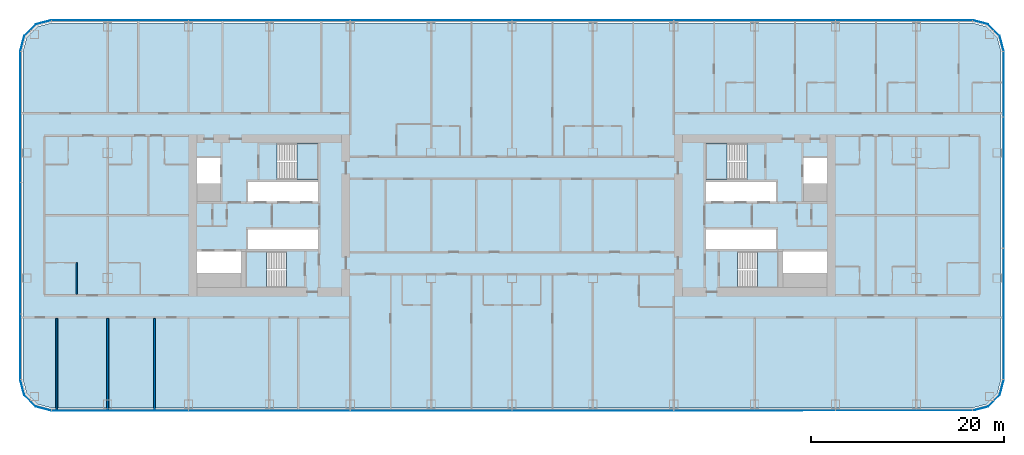
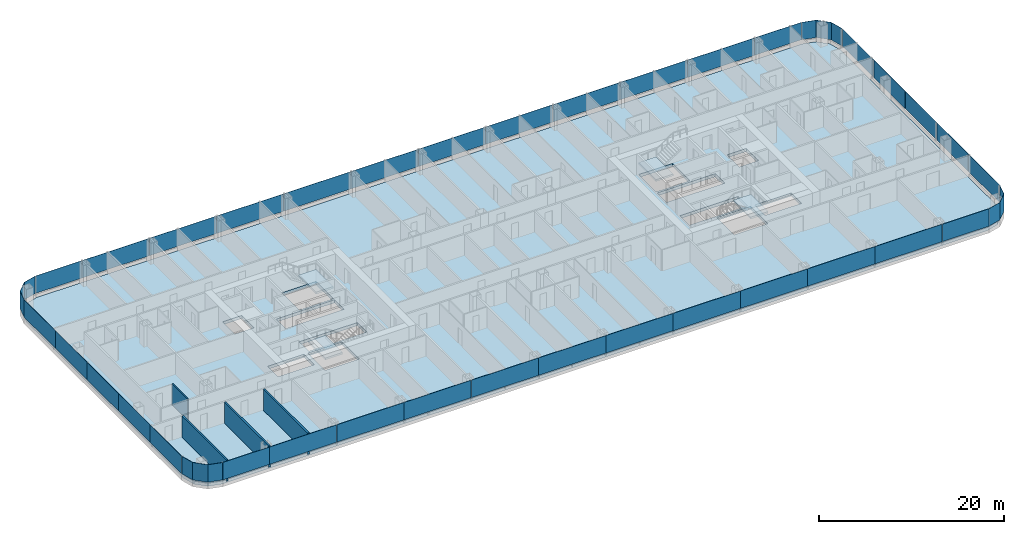
# One storey, part 12 of 28: 38 plates, 5 slabs, 4 walls, 12 elements without a shape of their own.
"""IFC4 building model written with IfcOpenShell, lengths in metres."""

from ifc_helpers import new_model, si_unit, direction, frame, frame_2d, origin, origin_2d, place, context, subcontext, project, spatial, polyline, rectangle, outline, extrude, material, layer, layer_set, type_object, element, aggregate, save


model = new_model("IFC4")

# Units and contexts
model_context = context("Model", 3, precision=1e-05, world=origin(), true_north=direction((0.0, 1.0)))
body_context = subcontext(model_context, "Body", "Model", "MODEL_VIEW")
ifc_project = project(units=[si_unit("LENGTHUNIT", "METRE"), si_unit("AREAUNIT", "SQUARE_METRE"), si_unit("VOLUMEUNIT", "CUBIC_METRE"), si_unit("PLANEANGLEUNIT", "RADIAN"), si_unit("MASSUNIT", "GRAM", prefix="KILO")], contexts=[model_context])

# Site, building, storey
site_placement = place(None, origin())
site = spatial("IfcSite", under=ifc_project, at=site_placement, CompositionType="ELEMENT")
building_placement = place(site_placement, origin())
building = spatial("IfcBuilding", under=site, at=building_placement, Name="Hakoniwa Tower and Hamabe Station Hall", CompositionType="ELEMENT")
storey_placement = place(building_placement, frame((0.0, 0.0, 32.60009765625)))
storey = spatial("IfcBuildingStorey", under=building, at=storey_placement, Name="L08", CompositionType="ELEMENT", Elevation=32.60009765625)

# Stair, slab
ifc_material_1 = material(Name="Concrete C40", Category="concrete")
stair_type = type_object("IfcStairType", Name="ESCAPE STAIR 1800", PredefinedType="HALF_TURN_STAIR", material=ifc_material_1)
stair_1_placement = place(storey_placement, origin())
stair_1 = element("IfcStair", 1, at=stair_1_placement, inside=storey, type_object=stair_type, Name="Escape stair ST-1 L08", PredefinedType="HALF_TURN_STAIR")
ifc_material_2 = material(Name="Concrete C40", Category="concrete")
ifc_layer_1 = layer(ifc_material_2, 0.25)
ifc_layer_set_1 = layer_set([ifc_layer_1], Name="CORE STAIR LANDING 250")
slab_type_1 = type_object("IfcSlabType", Name="CORE STAIR LANDING 250", PredefinedType="LANDING", material=ifc_layer_set_1)
slab_1_placement = place(storey_placement, frame((0.0, 0.0, 1.349853515625)))
slab_1 = element("IfcSlab", 2, at=slab_1_placement, type_object=slab_type_1, Name="ST-1 landing 1", PredefinedType="LANDING", context=body_context, shape_type="SweptSolid", body=[
    extrude(outline(polyline([(-22.320068359375, 3.75), (-20.14990234375, 3.75), (-20.14990234375, 7.5), (-22.320068359375, 7.5), (-22.320068359375, 3.75)])), origin(), (0.0, 0.0, 1.0), 0.25),
])
aggregate(stair_1, [slab_1])

stair_2_placement = place(storey_placement, origin())
stair_2 = element("IfcStair", 3, at=stair_2_placement, inside=storey, type_object=stair_type, Name="Escape stair ST-2 L08", PredefinedType="HALF_TURN_STAIR")
slab_2_placement = place(storey_placement, frame((0.0, 0.0, 1.349853515625)))
slab_2 = element("IfcSlab", 4, at=slab_2_placement, type_object=slab_type_1, Name="ST-2 landing 1", PredefinedType="LANDING", context=body_context, shape_type="SweptSolid", body=[
    extrude(outline(polyline([(-25.47998046875, -7.5), (-27.64990234375, -7.5), (-27.64990234375, -3.75), (-25.47998046875, -3.75), (-25.47998046875, -7.5)])), origin(), (0.0, 0.0, 1.0), 0.25),
])
aggregate(stair_2, [slab_2])

stair_3_placement = place(storey_placement, origin())
stair_3 = element("IfcStair", 5, at=stair_3_placement, inside=storey, type_object=stair_type, Name="Escape stair ST-3 L08", PredefinedType="HALF_TURN_STAIR")
slab_3_placement = place(storey_placement, frame((0.0, 0.0, 1.349853515625)))
slab_3 = element("IfcSlab", 6, at=slab_3_placement, type_object=slab_type_1, Name="ST-3 landing 1", PredefinedType="LANDING", context=body_context, shape_type="SweptSolid", body=[
    extrude(outline(polyline([(22.320068359375, 3.75), (20.14990234375, 3.75), (20.14990234375, 7.5), (22.320068359375, 7.5), (22.320068359375, 3.75)])), origin(), (0.0, 0.0, 1.0), 0.25),
])
aggregate(stair_3, [slab_3])

stair_4_placement = place(storey_placement, origin())
stair_4 = element("IfcStair", 7, at=stair_4_placement, inside=storey, type_object=stair_type, Name="Escape stair ST-4 L08", PredefinedType="HALF_TURN_STAIR")
slab_4_placement = place(storey_placement, frame((0.0, 0.0, 1.349853515625)))
slab_4 = element("IfcSlab", 8, at=slab_4_placement, type_object=slab_type_1, Name="ST-4 landing 1", PredefinedType="LANDING", context=body_context, shape_type="SweptSolid", body=[
    extrude(outline(polyline([(25.47998046875, -7.5), (27.64990234375, -7.5), (27.64990234375, -3.75), (25.47998046875, -3.75), (25.47998046875, -7.5)])), origin(), (0.0, 0.0, 1.0), 0.25),
])
aggregate(stair_4, [slab_4])

# Curtain wall, plates
ifc_material_3 = material(Name="Dark low-e laminated glass", Category="glass")
ifc_layer_2 = layer(ifc_material_3, 0.199951171875)
ifc_layer_set_2 = layer_set([ifc_layer_2], Name="CW-1 UNITISED GUEST")
curtain_wall_type = type_object("IfcCurtainWallType", Name="CW-1 UNITISED GUEST", PredefinedType="NOTDEFINED", material=ifc_layer_set_2)
curtain_wall_1_placement = place(storey_placement, origin())
curtain_wall_1 = element("IfcCurtainWall", 9, at=curtain_wall_1_placement, inside=storey, type_object=curtain_wall_type, Name="CW-1 curtain wall", PredefinedType="NOTDEFINED")
ifc_material_4 = material(Name="Dark low-e laminated glass", Category="glass")
ifc_layer_3 = layer(ifc_material_4, 0.028076171875)
ifc_layer_set_3 = layer_set([ifc_layer_3], Name="CW-1 GLASS UNIT")
plate_type = type_object("IfcPlateType", Name="CW-1 GLASS UNIT", PredefinedType="CURTAIN_PANEL", material=ifc_layer_set_3)
plate_1_placement = place(storey_placement, frame((51.0859375, -13.631591796875, 0.35009765625), z_axis=(0.0, 0.0, 1.0), x_axis=(0.0, 1.0, 0.0)))
plate_1 = element("IfcPlate", 10, at=plate_1_placement, type_object=plate_type, Name="CW-1 glass unit", PredefinedType="CURTAIN_PANEL", context=body_context, shape_type="SweptSolid", body=[
    extrude(rectangle(XDim=6.7958984375, YDim=0.028076171875, at=origin_2d()), origin(), (0.0, 0.0, 1.0), 2.300048828125),
])
plate_2_placement = place(storey_placement, frame((51.0859375, -6.81591796875, 0.35009765625), z_axis=(0.0, 0.0, 1.0), x_axis=(0.0, 1.0, 0.0)))
plate_2 = element("IfcPlate", 11, at=plate_2_placement, type_object=plate_type, Name="CW-1 glass unit", PredefinedType="CURTAIN_PANEL", context=body_context, shape_type="SweptSolid", body=[
    extrude(rectangle(XDim=6.7958984375, YDim=0.028076171875, at=origin_2d()), origin(), (0.0, 0.0, 1.0), 2.300048828125),
])
plate_3_placement = place(storey_placement, frame((51.0859375, 0.0, 0.35009765625), z_axis=(0.0, 0.0, 1.0), x_axis=(0.0, 1.0, 0.0)))
plate_3 = element("IfcPlate", 12, at=plate_3_placement, type_object=plate_type, Name="CW-1 glass unit", PredefinedType="CURTAIN_PANEL", context=body_context, shape_type="SweptSolid", body=[
    extrude(rectangle(XDim=6.7958984375, YDim=0.028076171875, at=origin_2d()), origin(), (0.0, 0.0, 1.0), 2.300048828125),
])
plate_4_placement = place(storey_placement, frame((51.0859375, 6.81591796875, 0.35009765625), z_axis=(0.0, 0.0, 1.0), x_axis=(0.0, 1.0, 0.0)))
plate_4 = element("IfcPlate", 13, at=plate_4_placement, type_object=plate_type, Name="CW-1 glass unit", PredefinedType="CURTAIN_PANEL", context=body_context, shape_type="SweptSolid", body=[
    extrude(rectangle(XDim=6.7958984375, YDim=0.028076171875, at=origin_2d()), origin(), (0.0, 0.0, 1.0), 2.300048828125),
])
plate_5_placement = place(storey_placement, frame((51.0859375, 13.631591796875, 0.35009765625), z_axis=(0.0, 0.0, 1.0), x_axis=(0.0, 1.0, 0.0)))
plate_5 = element("IfcPlate", 14, at=plate_5_placement, type_object=plate_type, Name="CW-1 glass unit", PredefinedType="CURTAIN_PANEL", context=body_context, shape_type="SweptSolid", body=[
    extrude(rectangle(XDim=6.7958984375, YDim=0.028076171875, at=origin_2d()), origin(), (0.0, 0.0, 1.0), 2.300048828125),
])
aggregate(curtain_wall_1, [plate_1, plate_2, plate_3, plate_4, plate_5])

# Curtain wall, plate
curtain_wall_2_placement = place(storey_placement, origin())
curtain_wall_2 = element("IfcCurtainWall", 15, at=curtain_wall_2_placement, inside=storey, type_object=curtain_wall_type, Name="CW-1 curtain wall", PredefinedType="NOTDEFINED")
plate_6_placement = place(storey_placement, frame((0.0, 0.0, 0.349853515625)))
plate_6 = element("IfcPlate", 16, at=plate_6_placement, type_object=plate_type, Name="CW-1 curved corner unit", PredefinedType="CURTAIN_PANEL", context=body_context, shape_type="SweptSolid", body=[
    extrude(outline(polyline([(51.089599609375, 17.078125), (50.6669921875, 18.6552734375), (49.455322265625, 19.866943359375), (47.878173828125, 20.28955078125), (47.870849609375, 20.2626953125), (49.44091796875, 19.842041015625), (50.641845703125, 18.640869140625), (51.0625, 17.07080078125), (51.089599609375, 17.078125)])), origin(), (0.0, 0.0, 1.0), 2.300048828125),
])
aggregate(curtain_wall_2, [plate_6])

# Curtain wall, plates
curtain_wall_3_placement = place(storey_placement, origin())
curtain_wall_3 = element("IfcCurtainWall", 17, at=curtain_wall_3_placement, inside=storey, type_object=curtain_wall_type, Name="CW-1 curtain wall", PredefinedType="NOTDEFINED")
plate_7_placement = place(storey_placement, frame((44.919677734375, 20.285888671875, 0.35009765625), z_axis=(0.0, 0.0, 1.0), x_axis=(-1.0, 0.0, 0.0)))
plate_7 = element("IfcPlate", 18, at=plate_7_placement, type_object=plate_type, Name="CW-1 glass unit", PredefinedType="CURTAIN_PANEL", context=body_context, shape_type="SweptSolid", body=[
    extrude(rectangle(XDim=5.819580078125, YDim=0.028076171875, at=origin_2d()), origin(), (0.0, 0.0, 1.0), 2.300048828125),
])
plate_8_placement = place(storey_placement, frame((37.800048828125, 20.285888671875, 0.35009765625), z_axis=(0.0, 0.0, 1.0), x_axis=(-1.0, 0.0, 0.0)))
plate_8 = element("IfcPlate", 19, at=plate_8_placement, type_object=plate_type, Name="CW-1 glass unit", PredefinedType="CURTAIN_PANEL", context=body_context, shape_type="SweptSolid", body=[
    extrude(rectangle(XDim=8.3798828125, YDim=0.028076171875, at=origin_2d()), origin(), (0.0, 0.0, 1.0), 2.300048828125),
])
plate_9_placement = place(storey_placement, frame((29.39990234375, 20.285888671875, 0.35009765625), z_axis=(0.0, 0.0, 1.0), x_axis=(-1.0, 0.0, 0.0)))
plate_9 = element("IfcPlate", 20, at=plate_9_placement, type_object=plate_type, Name="CW-1 glass unit", PredefinedType="CURTAIN_PANEL", context=body_context, shape_type="SweptSolid", body=[
    extrude(rectangle(XDim=8.3798828125, YDim=0.028076171875, at=origin_2d()), origin(), (0.0, 0.0, 1.0), 2.300048828125),
])
plate_10_placement = place(storey_placement, frame((21.0, 20.285888671875, 0.35009765625), z_axis=(0.0, 0.0, 1.0), x_axis=(-1.0, 0.0, 0.0)))
plate_10 = element("IfcPlate", 21, at=plate_10_placement, type_object=plate_type, Name="CW-1 glass unit", PredefinedType="CURTAIN_PANEL", context=body_context, shape_type="SweptSolid", body=[
    extrude(rectangle(XDim=8.3798828125, YDim=0.028076171875, at=origin_2d()), origin(), (0.0, 0.0, 1.0), 2.300048828125),
])
plate_11_placement = place(storey_placement, frame((12.60009765625, 20.285888671875, 0.35009765625), z_axis=(0.0, 0.0, 1.0), x_axis=(-1.0, 0.0, 0.0)))
plate_11 = element("IfcPlate", 22, at=plate_11_placement, type_object=plate_type, Name="CW-1 glass unit", PredefinedType="CURTAIN_PANEL", context=body_context, shape_type="SweptSolid", body=[
    extrude(rectangle(XDim=8.3798828125, YDim=0.028076171875, at=origin_2d()), origin(), (0.0, 0.0, 1.0), 2.300048828125),
])
plate_12_placement = place(storey_placement, frame((4.199951171875, 20.285888671875, 0.35009765625), z_axis=(0.0, 0.0, 1.0), x_axis=(-1.0, 0.0, 0.0)))
plate_12 = element("IfcPlate", 23, at=plate_12_placement, type_object=plate_type, Name="CW-1 glass unit", PredefinedType="CURTAIN_PANEL", context=body_context, shape_type="SweptSolid", body=[
    extrude(rectangle(XDim=8.3798828125, YDim=0.028076171875, at=origin_2d()), origin(), (0.0, 0.0, 1.0), 2.300048828125),
])
plate_13_placement = place(storey_placement, frame((-4.199951171875, 20.285888671875, 0.35009765625), z_axis=(0.0, 0.0, 1.0), x_axis=(-1.0, 0.0, 0.0)))
plate_13 = element("IfcPlate", 24, at=plate_13_placement, type_object=plate_type, Name="CW-1 glass unit", PredefinedType="CURTAIN_PANEL", context=body_context, shape_type="SweptSolid", body=[
    extrude(rectangle(XDim=8.3798828125, YDim=0.028076171875, at=origin_2d()), origin(), (0.0, 0.0, 1.0), 2.300048828125),
])
plate_14_placement = place(storey_placement, frame((-12.60009765625, 20.285888671875, 0.35009765625), z_axis=(0.0, 0.0, 1.0), x_axis=(-1.0, 0.0, 0.0)))
plate_14 = element("IfcPlate", 25, at=plate_14_placement, type_object=plate_type, Name="CW-1 glass unit", PredefinedType="CURTAIN_PANEL", context=body_context, shape_type="SweptSolid", body=[
    extrude(rectangle(XDim=8.3798828125, YDim=0.028076171875, at=origin_2d()), origin(), (0.0, 0.0, 1.0), 2.300048828125),
])
plate_15_placement = place(storey_placement, frame((-21.0, 20.285888671875, 0.35009765625), z_axis=(0.0, 0.0, 1.0), x_axis=(-1.0, 0.0, 0.0)))
plate_15 = element("IfcPlate", 26, at=plate_15_placement, type_object=plate_type, Name="CW-1 glass unit", PredefinedType="CURTAIN_PANEL", context=body_context, shape_type="SweptSolid", body=[
    extrude(rectangle(XDim=8.3798828125, YDim=0.028076171875, at=origin_2d()), origin(), (0.0, 0.0, 1.0), 2.300048828125),
])
plate_16_placement = place(storey_placement, frame((-29.39990234375, 20.285888671875, 0.35009765625), z_axis=(0.0, 0.0, 1.0), x_axis=(-1.0, 0.0, 0.0)))
plate_16 = element("IfcPlate", 27, at=plate_16_placement, type_object=plate_type, Name="CW-1 glass unit", PredefinedType="CURTAIN_PANEL", context=body_context, shape_type="SweptSolid", body=[
    extrude(rectangle(XDim=8.3798828125, YDim=0.028076171875, at=origin_2d()), origin(), (0.0, 0.0, 1.0), 2.300048828125),
])
plate_17_placement = place(storey_placement, frame((-37.800048828125, 20.285888671875, 0.35009765625), z_axis=(0.0, 0.0, 1.0), x_axis=(-1.0, 0.0, 0.0)))
plate_17 = element("IfcPlate", 28, at=plate_17_placement, type_object=plate_type, Name="CW-1 glass unit", PredefinedType="CURTAIN_PANEL", context=body_context, shape_type="SweptSolid", body=[
    extrude(rectangle(XDim=8.3798828125, YDim=0.028076171875, at=origin_2d()), origin(), (0.0, 0.0, 1.0), 2.300048828125),
])
plate_18_placement = place(storey_placement, frame((-44.919677734375, 20.285888671875, 0.35009765625), z_axis=(0.0, 0.0, 1.0), x_axis=(-1.0, 0.0, 0.0)))
plate_18 = element("IfcPlate", 29, at=plate_18_placement, type_object=plate_type, Name="CW-1 glass unit", PredefinedType="CURTAIN_PANEL", context=body_context, shape_type="SweptSolid", body=[
    extrude(rectangle(XDim=5.819580078125, YDim=0.028076171875, at=origin_2d()), origin(), (0.0, 0.0, 1.0), 2.300048828125),
])
aggregate(curtain_wall_3, [plate_7, plate_8, plate_9, plate_10, plate_11, plate_12, plate_13, plate_14, plate_15, plate_16, plate_17, plate_18])

# Curtain wall, plate
curtain_wall_4_placement = place(storey_placement, origin())
curtain_wall_4 = element("IfcCurtainWall", 30, at=curtain_wall_4_placement, inside=storey, type_object=curtain_wall_type, Name="CW-1 curtain wall", PredefinedType="NOTDEFINED")
plate_19_placement = place(storey_placement, frame((0.0, 0.0, 0.349853515625)))
plate_19 = element("IfcPlate", 31, at=plate_19_placement, type_object=plate_type, Name="CW-1 curved corner unit", PredefinedType="CURTAIN_PANEL", context=body_context, shape_type="SweptSolid", body=[
    extrude(outline(polyline([(-47.878173828125, 20.28955078125), (-49.455322265625, 19.866943359375), (-50.6669921875, 18.6552734375), (-51.089599609375, 17.078125), (-51.0625, 17.07080078125), (-50.641845703125, 18.640869140625), (-49.44091796875, 19.842041015625), (-47.870849609375, 20.2626953125), (-47.878173828125, 20.28955078125)])), origin(), (0.0, 0.0, 1.0), 2.300048828125),
])
aggregate(curtain_wall_4, [plate_19])

# Curtain wall, plates
curtain_wall_5_placement = place(storey_placement, origin())
curtain_wall_5 = element("IfcCurtainWall", 32, at=curtain_wall_5_placement, inside=storey, type_object=curtain_wall_type, Name="CW-1 curtain wall", PredefinedType="NOTDEFINED")
plate_20_placement = place(storey_placement, frame((-51.0859375, 13.631591796875, 0.35009765625), z_axis=(0.0, 0.0, 1.0), x_axis=(0.0, -1.0, 0.0)))
plate_20 = element("IfcPlate", 33, at=plate_20_placement, type_object=plate_type, Name="CW-1 glass unit", PredefinedType="CURTAIN_PANEL", context=body_context, shape_type="SweptSolid", body=[
    extrude(rectangle(XDim=6.7958984375, YDim=0.028076171875, at=origin_2d()), origin(), (0.0, 0.0, 1.0), 2.300048828125),
])
plate_21_placement = place(storey_placement, frame((-51.0859375, 6.81591796875, 0.35009765625), z_axis=(0.0, 0.0, 1.0), x_axis=(0.0, -1.0, 0.0)))
plate_21 = element("IfcPlate", 34, at=plate_21_placement, type_object=plate_type, Name="CW-1 glass unit", PredefinedType="CURTAIN_PANEL", context=body_context, shape_type="SweptSolid", body=[
    extrude(rectangle(XDim=6.7958984375, YDim=0.028076171875, at=origin_2d()), origin(), (0.0, 0.0, 1.0), 2.300048828125),
])
plate_22_placement = place(storey_placement, frame((-51.0859375, 0.0, 0.35009765625), z_axis=(0.0, 0.0, 1.0), x_axis=(0.0, -1.0, 0.0)))
plate_22 = element("IfcPlate", 35, at=plate_22_placement, type_object=plate_type, Name="CW-1 glass unit", PredefinedType="CURTAIN_PANEL", context=body_context, shape_type="SweptSolid", body=[
    extrude(rectangle(XDim=6.7958984375, YDim=0.028076171875, at=origin_2d()), origin(), (0.0, 0.0, 1.0), 2.300048828125),
])
plate_23_placement = place(storey_placement, frame((-51.0859375, -6.81591796875, 0.35009765625), z_axis=(0.0, 0.0, 1.0), x_axis=(0.0, -1.0, 0.0)))
plate_23 = element("IfcPlate", 36, at=plate_23_placement, type_object=plate_type, Name="CW-1 glass unit", PredefinedType="CURTAIN_PANEL", context=body_context, shape_type="SweptSolid", body=[
    extrude(rectangle(XDim=6.7958984375, YDim=0.028076171875, at=origin_2d()), origin(), (0.0, 0.0, 1.0), 2.300048828125),
])
plate_24_placement = place(storey_placement, frame((-51.0859375, -13.631591796875, 0.35009765625), z_axis=(0.0, 0.0, 1.0), x_axis=(0.0, -1.0, 0.0)))
plate_24 = element("IfcPlate", 37, at=plate_24_placement, type_object=plate_type, Name="CW-1 glass unit", PredefinedType="CURTAIN_PANEL", context=body_context, shape_type="SweptSolid", body=[
    extrude(rectangle(XDim=6.7958984375, YDim=0.028076171875, at=origin_2d()), origin(), (0.0, 0.0, 1.0), 2.300048828125),
])
aggregate(curtain_wall_5, [plate_20, plate_21, plate_22, plate_23, plate_24])

# Curtain wall, plate
curtain_wall_6_placement = place(storey_placement, origin())
curtain_wall_6 = element("IfcCurtainWall", 38, at=curtain_wall_6_placement, inside=storey, type_object=curtain_wall_type, Name="CW-1 curtain wall", PredefinedType="NOTDEFINED")
plate_25_placement = place(storey_placement, frame((0.0, 0.0, 0.349853515625)))
plate_25 = element("IfcPlate", 39, at=plate_25_placement, type_object=plate_type, Name="CW-1 curved corner unit", PredefinedType="CURTAIN_PANEL", context=body_context, shape_type="SweptSolid", body=[
    extrude(outline(polyline([(-51.089599609375, -17.078125), (-50.6669921875, -18.6552734375), (-49.455322265625, -19.866943359375), (-47.878173828125, -20.28955078125), (-47.870849609375, -20.2626953125), (-49.44091796875, -19.842041015625), (-50.641845703125, -18.640869140625), (-51.0625, -17.07080078125), (-51.089599609375, -17.078125)])), origin(), (0.0, 0.0, 1.0), 2.300048828125),
])
aggregate(curtain_wall_6, [plate_25])

# Curtain wall, plates
curtain_wall_7_placement = place(storey_placement, origin())
curtain_wall_7 = element("IfcCurtainWall", 40, at=curtain_wall_7_placement, inside=storey, type_object=curtain_wall_type, Name="CW-1 curtain wall", PredefinedType="NOTDEFINED")
plate_26_placement = place(storey_placement, frame((-44.919677734375, -20.285888671875, 0.35009765625), z_axis=(0.0, 0.0, 1.0), x_axis=(1.0, 0.0, 0.0)))
plate_26 = element("IfcPlate", 41, at=plate_26_placement, type_object=plate_type, Name="CW-1 glass unit", PredefinedType="CURTAIN_PANEL", context=body_context, shape_type="SweptSolid", body=[
    extrude(rectangle(XDim=5.819580078125, YDim=0.028076171875, at=origin_2d()), origin(), (0.0, 0.0, 1.0), 2.300048828125),
])
plate_27_placement = place(storey_placement, frame((-37.800048828125, -20.285888671875, 0.35009765625), z_axis=(0.0, 0.0, 1.0), x_axis=(1.0, 0.0, 0.0)))
plate_27 = element("IfcPlate", 42, at=plate_27_placement, type_object=plate_type, Name="CW-1 glass unit", PredefinedType="CURTAIN_PANEL", context=body_context, shape_type="SweptSolid", body=[
    extrude(rectangle(XDim=8.3798828125, YDim=0.028076171875, at=origin_2d()), origin(), (0.0, 0.0, 1.0), 2.300048828125),
])
plate_28_placement = place(storey_placement, frame((-29.39990234375, -20.285888671875, 0.35009765625), z_axis=(0.0, 0.0, 1.0), x_axis=(1.0, 0.0, 0.0)))
plate_28 = element("IfcPlate", 43, at=plate_28_placement, type_object=plate_type, Name="CW-1 glass unit", PredefinedType="CURTAIN_PANEL", context=body_context, shape_type="SweptSolid", body=[
    extrude(rectangle(XDim=8.3798828125, YDim=0.028076171875, at=origin_2d()), origin(), (0.0, 0.0, 1.0), 2.300048828125),
])
plate_29_placement = place(storey_placement, frame((-21.0, -20.285888671875, 0.35009765625), z_axis=(0.0, 0.0, 1.0), x_axis=(1.0, 0.0, 0.0)))
plate_29 = element("IfcPlate", 44, at=plate_29_placement, type_object=plate_type, Name="CW-1 glass unit", PredefinedType="CURTAIN_PANEL", context=body_context, shape_type="SweptSolid", body=[
    extrude(rectangle(XDim=8.3798828125, YDim=0.028076171875, at=origin_2d()), origin(), (0.0, 0.0, 1.0), 2.300048828125),
])
plate_30_placement = place(storey_placement, frame((-12.60009765625, -20.285888671875, 0.35009765625), z_axis=(0.0, 0.0, 1.0), x_axis=(1.0, 0.0, 0.0)))
plate_30 = element("IfcPlate", 45, at=plate_30_placement, type_object=plate_type, Name="CW-1 glass unit", PredefinedType="CURTAIN_PANEL", context=body_context, shape_type="SweptSolid", body=[
    extrude(rectangle(XDim=8.3798828125, YDim=0.028076171875, at=origin_2d()), origin(), (0.0, 0.0, 1.0), 2.300048828125),
])
plate_31_placement = place(storey_placement, frame((-4.199951171875, -20.285888671875, 0.35009765625), z_axis=(0.0, 0.0, 1.0), x_axis=(1.0, 0.0, 0.0)))
plate_31 = element("IfcPlate", 46, at=plate_31_placement, type_object=plate_type, Name="CW-1 glass unit", PredefinedType="CURTAIN_PANEL", context=body_context, shape_type="SweptSolid", body=[
    extrude(rectangle(XDim=8.3798828125, YDim=0.028076171875, at=origin_2d()), origin(), (0.0, 0.0, 1.0), 2.300048828125),
])
plate_32_placement = place(storey_placement, frame((4.199951171875, -20.285888671875, 0.35009765625), z_axis=(0.0, 0.0, 1.0), x_axis=(1.0, 0.0, 0.0)))
plate_32 = element("IfcPlate", 47, at=plate_32_placement, type_object=plate_type, Name="CW-1 glass unit", PredefinedType="CURTAIN_PANEL", context=body_context, shape_type="SweptSolid", body=[
    extrude(rectangle(XDim=8.3798828125, YDim=0.028076171875, at=origin_2d()), origin(), (0.0, 0.0, 1.0), 2.300048828125),
])
plate_33_placement = place(storey_placement, frame((12.60009765625, -20.285888671875, 0.35009765625), z_axis=(0.0, 0.0, 1.0), x_axis=(1.0, 0.0, 0.0)))
plate_33 = element("IfcPlate", 48, at=plate_33_placement, type_object=plate_type, Name="CW-1 glass unit", PredefinedType="CURTAIN_PANEL", context=body_context, shape_type="SweptSolid", body=[
    extrude(rectangle(XDim=8.3798828125, YDim=0.028076171875, at=origin_2d()), origin(), (0.0, 0.0, 1.0), 2.300048828125),
])
plate_34_placement = place(storey_placement, frame((21.0, -20.285888671875, 0.35009765625), z_axis=(0.0, 0.0, 1.0), x_axis=(1.0, 0.0, 0.0)))
plate_34 = element("IfcPlate", 49, at=plate_34_placement, type_object=plate_type, Name="CW-1 glass unit", PredefinedType="CURTAIN_PANEL", context=body_context, shape_type="SweptSolid", body=[
    extrude(rectangle(XDim=8.3798828125, YDim=0.028076171875, at=origin_2d()), origin(), (0.0, 0.0, 1.0), 2.300048828125),
])
plate_35_placement = place(storey_placement, frame((29.39990234375, -20.285888671875, 0.35009765625), z_axis=(0.0, 0.0, 1.0), x_axis=(1.0, 0.0, 0.0)))
plate_35 = element("IfcPlate", 50, at=plate_35_placement, type_object=plate_type, Name="CW-1 glass unit", PredefinedType="CURTAIN_PANEL", context=body_context, shape_type="SweptSolid", body=[
    extrude(rectangle(XDim=8.3798828125, YDim=0.028076171875, at=origin_2d()), origin(), (0.0, 0.0, 1.0), 2.300048828125),
])
plate_36_placement = place(storey_placement, frame((37.800048828125, -20.285888671875, 0.35009765625), z_axis=(0.0, 0.0, 1.0), x_axis=(1.0, 0.0, 0.0)))
plate_36 = element("IfcPlate", 51, at=plate_36_placement, type_object=plate_type, Name="CW-1 glass unit", PredefinedType="CURTAIN_PANEL", context=body_context, shape_type="SweptSolid", body=[
    extrude(rectangle(XDim=8.3798828125, YDim=0.028076171875, at=origin_2d()), origin(), (0.0, 0.0, 1.0), 2.300048828125),
])
plate_37_placement = place(storey_placement, frame((44.919677734375, -20.285888671875, 0.35009765625), z_axis=(0.0, 0.0, 1.0), x_axis=(1.0, 0.0, 0.0)))
plate_37 = element("IfcPlate", 52, at=plate_37_placement, type_object=plate_type, Name="CW-1 glass unit", PredefinedType="CURTAIN_PANEL", context=body_context, shape_type="SweptSolid", body=[
    extrude(rectangle(XDim=5.819580078125, YDim=0.028076171875, at=origin_2d()), origin(), (0.0, 0.0, 1.0), 2.300048828125),
])
aggregate(curtain_wall_7, [plate_26, plate_27, plate_28, plate_29, plate_30, plate_31, plate_32, plate_33, plate_34, plate_35, plate_36, plate_37])

# Curtain wall, plate
curtain_wall_8_placement = place(storey_placement, origin())
curtain_wall_8 = element("IfcCurtainWall", 53, at=curtain_wall_8_placement, inside=storey, type_object=curtain_wall_type, Name="CW-1 curtain wall", PredefinedType="NOTDEFINED")
plate_38_placement = place(storey_placement, frame((0.0, 0.0, 0.349853515625)))
plate_38 = element("IfcPlate", 54, at=plate_38_placement, type_object=plate_type, Name="CW-1 curved corner unit", PredefinedType="CURTAIN_PANEL", context=body_context, shape_type="SweptSolid", body=[
    extrude(outline(polyline([(47.878173828125, -20.28955078125), (49.455322265625, -19.866943359375), (50.6669921875, -18.6552734375), (51.089599609375, -17.078125), (51.0625, -17.07080078125), (50.641845703125, -18.640869140625), (49.44091796875, -19.842041015625), (47.870849609375, -20.2626953125), (47.878173828125, -20.28955078125)])), origin(), (0.0, 0.0, 1.0), 2.300048828125),
])
aggregate(curtain_wall_8, [plate_38])

# Slab
ifc_material_5 = material(Name="Concrete C42", Category="concrete")
ifc_layer_4 = layer(ifc_material_5, 0.39990234375)
ifc_layer_set_4 = layer_set([ifc_layer_4], Name="PT FLAT PLATE 400")
slab_type_2 = type_object("IfcSlabType", Name="PT FLAT PLATE 400", PredefinedType="FLOOR", material=ifc_layer_set_4)
slab_5_placement = place(storey_placement, frame((0.0, 0.0, -0.400146484375)))
element("IfcSlab", 55, at=slab_5_placement, inside=storey, type_object=slab_type_2, Name="Floor slab L08", PredefinedType="FLOOR", context=body_context, shape_type="SweptSolid", body=[
    extrude(outline(polyline([(50.800048828125, -17.0), (50.800048828125, 17.0), (50.398193359375, 18.5), (49.300048828125, 19.59814453125), (47.800048828125, 20.0), (-47.800048828125, 20.0), (-49.300048828125, 19.59814453125), (-50.398193359375, 18.5), (-50.800048828125, 17.0), (-50.800048828125, -17.0), (-50.398193359375, -18.5), (-49.300048828125, -19.59814453125), (-47.800048828125, -20.0), (47.800048828125, -20.0), (49.300048828125, -19.59814453125), (50.398193359375, -18.5), (50.800048828125, -17.0)]), holes=[polyline([(-27.39990234375, 1.449951171875), (-27.39990234375, 3.5), (-20.14990234375, 3.5), (-20.14990234375, 1.449951171875), (-27.39990234375, 1.449951171875)]), polyline([(-27.39990234375, -3.5), (-27.39990234375, -1.449951171875), (-20.14990234375, -1.449951171875), (-20.14990234375, -3.5), (-27.39990234375, -3.5)]), polyline([(-32.699951171875, 3.300048828125), (-32.699951171875, 5.949951171875), (-30.300048828125, 5.949951171875), (-30.300048828125, 3.300048828125), (-32.699951171875, 3.300048828125)]), polyline([(-32.699951171875, -6.0), (-32.699951171875, -3.75), (-28.14990234375, -3.75), (-28.14990234375, -6.0), (-32.699951171875, -6.0)]), polyline([(-24.389892578125, 3.75), (-24.389892578125, 7.5), (-20.14990234375, 7.5), (-20.14990234375, 3.75), (-24.389892578125, 3.75)]), polyline([(-27.64990234375, -7.5), (-27.64990234375, -3.75), (-23.409912109375, -3.75), (-23.409912109375, -7.5), (-27.64990234375, -7.5)]), polyline([(20.14990234375, 1.449951171875), (20.14990234375, 3.5), (27.39990234375, 3.5), (27.39990234375, 1.449951171875), (20.14990234375, 1.449951171875)]), polyline([(20.14990234375, -3.5), (20.14990234375, -1.449951171875), (27.39990234375, -1.449951171875), (27.39990234375, -3.5), (20.14990234375, -3.5)]), polyline([(30.300048828125, 3.300048828125), (30.300048828125, 5.949951171875), (32.699951171875, 5.949951171875), (32.699951171875, 3.300048828125), (30.300048828125, 3.300048828125)]), polyline([(28.14990234375, -6.0), (28.14990234375, -3.75), (32.699951171875, -3.75), (32.699951171875, -6.0), (28.14990234375, -6.0)]), polyline([(20.14990234375, 3.75), (20.14990234375, 7.5), (24.389892578125, 7.5), (24.389892578125, 3.75), (20.14990234375, 3.75)]), polyline([(23.409912109375, -7.5), (23.409912109375, -3.75), (27.64990234375, -3.75), (27.64990234375, -7.5), (23.409912109375, -7.5)])]), origin(), (0.0, 0.0, 1.0), 0.400146484375),
])

# Walls
ifc_material_6 = material(Name="Gypsum board partition", Category="gypsum")
ifc_layer_5 = layer(ifc_material_6, 0.125)
ifc_layer_set_5 = layer_set([ifc_layer_5], Name="Bathroom Partition 125")
wall_type_1 = type_object("IfcWallType", Name="Bathroom Partition 125", PredefinedType="PARTITIONING", material=ifc_layer_set_5)
wall_placement = place(storey_placement, frame((-45.199951171875, -8.199951171875, 0.0), z_axis=(0.0, 0.0, 1.0), x_axis=(0.0, 1.0, 0.0)))
element("IfcWall", 56, at=wall_placement, inside=storey, type_object=wall_type_1, Name="GW-L08-039", PredefinedType="PARTITIONING", context=body_context, shape_type="SweptSolid", body=[
    extrude(rectangle(XDim=3.300048828125, YDim=0.125, at=frame_2d((1.64990234375, 0.0))), origin(), (0.0, 0.0, 1.0), 2.7998046875),
])
ifc_material_7 = material(Name="Fire-rated gypsum board partition", Category="gypsum")
ifc_layer_6 = layer(ifc_material_7, 0.199951171875)
ifc_layer_set_6 = layer_set([ifc_layer_6], Name="Party Wall 200")
wall_type_2 = type_object("IfcWallType", Name="Party Wall 200", PredefinedType="PARTITIONING", material=ifc_layer_set_6)
for number, where, z_axis, x_axis, name in (
    (57, (-47.280029296875, -20.300048828125, 0.0), (0.0, 0.0, 1.0), (0.0, 1.0, 0.0), "GW-L08-037"),
    (58, (-42.0, -20.300048828125, 0.0), (0.0, 0.0, 1.0), (0.0, 1.0, 0.0), "GW-L08-040"),
    (59, (-37.1298828125, -20.300048828125, 0.0), (0.0, 0.0, 1.0), (0.0, 1.0, 0.0), "GW-L08-047"),
):
    element("IfcWall", number, at=place(storey_placement, frame(where, z_axis=z_axis, x_axis=x_axis)), inside=storey, type_object=wall_type_2, Name=name, PredefinedType="PARTITIONING", context=body_context, shape_type="SweptSolid", body=[
        extrude(rectangle(XDim=9.60009765625, YDim=0.199951171875, at=frame_2d((4.800048828125, 0.0))), origin(), (0.0, 0.0, 1.0), 2.7998046875),
    ])

save(model, "model.ifc")
